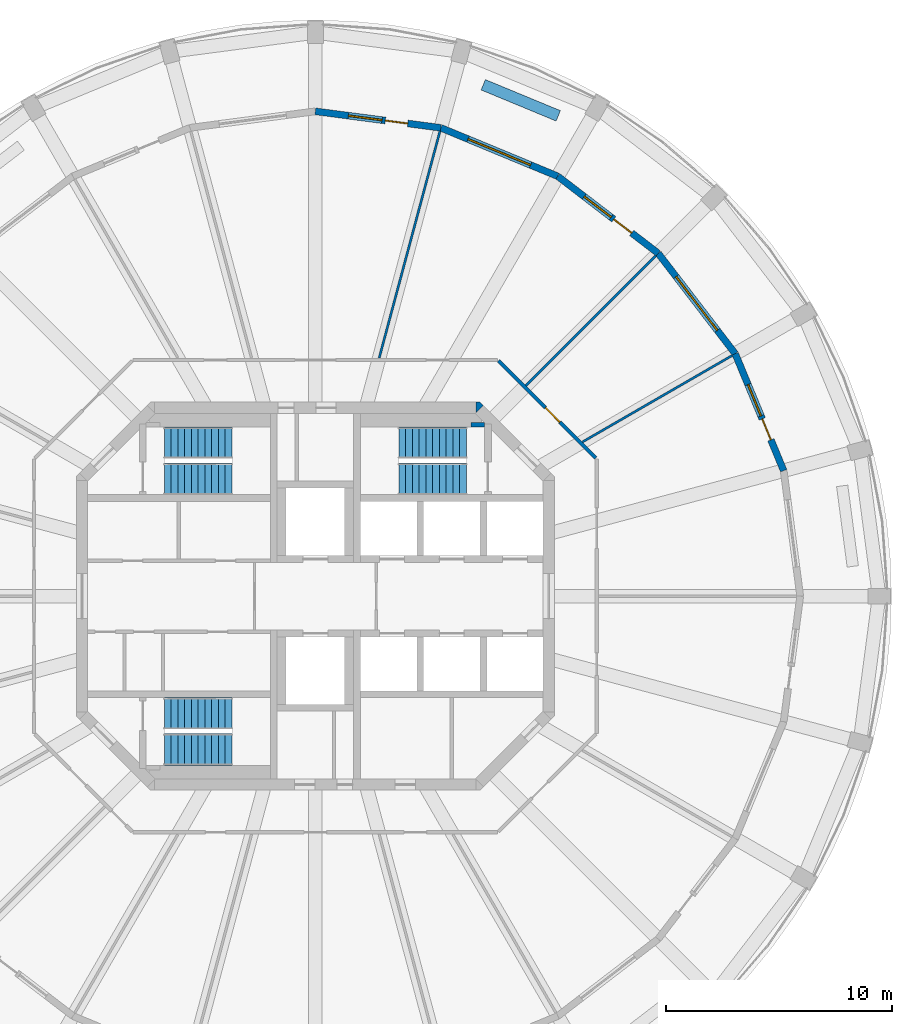
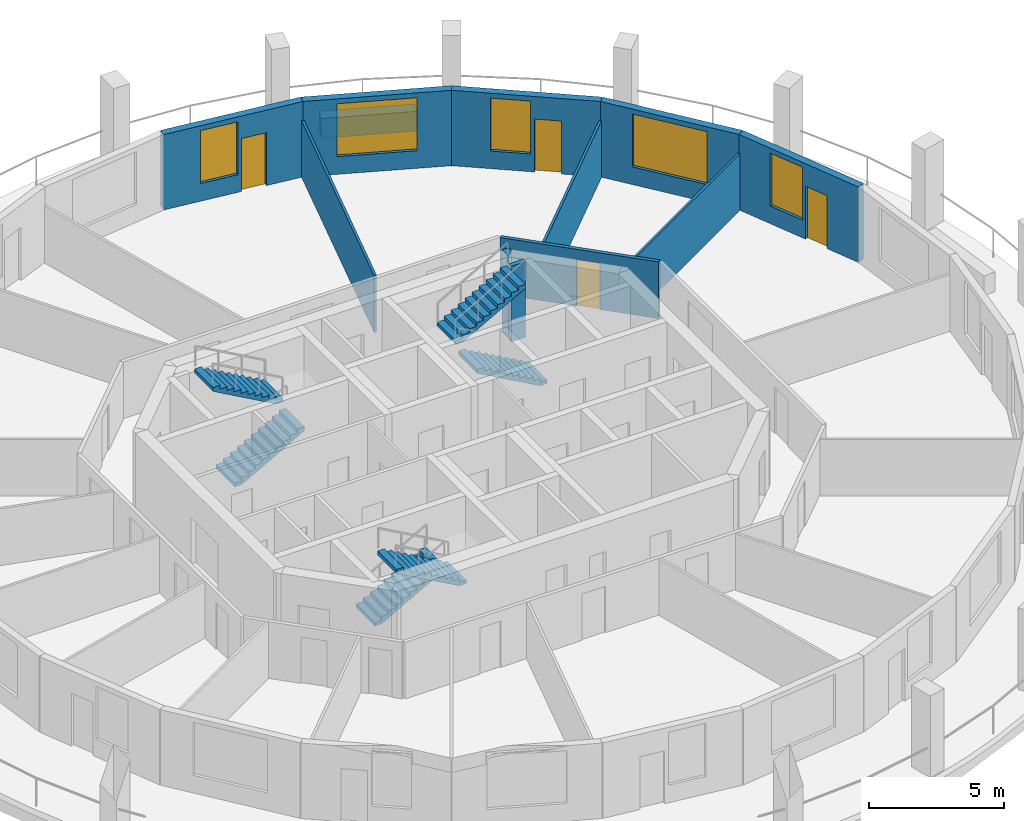
# One storey, part 6 of 8: 12 walls, 6 stair flights, 5 windows, 4 doors, 9 openings, 3 elements without a shape of their own.
"""IFC4 building model written with IfcOpenShell, lengths in metres."""

from ifc_helpers import new_model, si_unit, direction, frame, frame_2d, origin, place, context, subcontext, project, spatial, polyline, rectangle, outline, extrude, material, layer, layer_set, type_object, element, fill, aggregate, save


model = new_model("IFC4")

# Units and contexts
model_context = context("Model", 3, precision=1e-05, world=origin(), true_north=direction((0.0, 1.0)))
body_context = subcontext(model_context, "Body", "Model", "MODEL_VIEW")
ifc_project = project(units=[si_unit("LENGTHUNIT", "METRE"), si_unit("AREAUNIT", "SQUARE_METRE"), si_unit("VOLUMEUNIT", "CUBIC_METRE"), si_unit("PLANEANGLEUNIT", "RADIAN"), si_unit("MASSUNIT", "GRAM", prefix="KILO")], contexts=[model_context])

# Site, building, storey
site_placement = place(None, origin())
site = spatial("IfcSite", under=ifc_project, at=site_placement, CompositionType="ELEMENT")
building_placement = place(site_placement, origin())
building = spatial("IfcBuilding", under=site, at=building_placement, Name="Torre Triforio", CompositionType="ELEMENT")
storey_placement = place(building_placement, frame((0.0, 0.0, 283.39990234375)))
storey = spatial("IfcBuildingStorey", under=building, at=storey_placement, Name="L65", CompositionType="ELEMENT", Elevation=283.39990234375)

# Wall
ifc_material_1 = material(Name="Concrete C40", Category="concrete")
ifc_layer_1 = layer(ifc_material_1, 0.5)
ifc_layer_set_1 = layer_set([ifc_layer_1], Name="Concrete C40")
wall_type_1 = type_object("IfcWallType", Name="Core wall 500 mm C40 EI 120", PredefinedType="SHEAR", material=ifc_layer_set_1)
wall_1_placement = place(storey_placement, frame((0.0, 0.0, -0.27978515625)))
element("IfcWall", 1, at=wall_1_placement, inside=storey, type_object=wall_type_1, Name="Core wall", PredefinedType="SHEAR", context=body_context, shape_type="SweptSolid", body=[
    extrude(outline(polyline([(7.30712890625, 8.60009765625), (7.45361328125, 8.45361328125), (7.1298828125, 8.1298828125), (7.1298828125, 8.60009765625), (7.30712890625, 8.60009765625)])), origin(), (0.0, 0.0, 1.0), 3.699951171875),
])

# Wall, opening, door
ifc_material_2 = material(Name="Plasterboard on metal studs")
ifc_layer_2 = layer(ifc_material_2, 0.14990234375)
ifc_layer_set_2 = layer_set([ifc_layer_2], Name="Plasterboard on metal studs")
wall_type_2 = type_object("IfcWallType", Name="Corridor and tenancy wall 150 mm EI 60", PredefinedType="PARTITIONING", material=ifc_layer_set_2)
wall_2_placement = place(storey_placement, frame((8.120849609375, 10.43798828125, 0.0), z_axis=(0.0, 0.0, 1.0), x_axis=(0.707106781187, -0.707106781187, 0.0)))
wall_2 = element("IfcWall", 2, at=wall_2_placement, inside=storey, type_object=wall_type_2, Name="Partition 7", PredefinedType="PARTITIONING", context=body_context, shape_type="SweptSolid", body=[
    extrude(rectangle(XDim=6.10546875, YDim=0.14990234375, at=frame_2d((3.052734375, 0.0))), origin(), (0.0, 0.0, 1.0), 2.570068359375),
])
opening_1_placement = place(wall_2_placement, frame((2.947509765625, 0.0, 0.0)))
opening_1 = element("IfcOpeningElement", 3, at=opening_1_placement, cuts=wall_2, Name="Opening X1-04", PredefinedType="OPENING", context=body_context, shape_type="SweptSolid", body=[
    extrude(rectangle(XDim=0.89990234375, YDim=2.10009765625, at=frame_2d((0.449951171875, 1.050048828125))), frame((0.0, 0.0849609375, 0.0), z_axis=(0.0, -1.0, 0.0), x_axis=(1.0, 0.0, 0.0)), (0.0, 0.0, 1.0), 0.169921875),
])
ifc_material_3 = material(Name="Timber", Category="wood")
door_type_1 = type_object("IfcDoorType", Name="Door 900 x 2100 single leaf EI 30", OperationType="NOTDEFINED", PredefinedType="DOOR", material=ifc_material_3)
door_1_placement = place(opening_1_placement, origin())
door_1 = element("IfcDoor", 4, at=door_1_placement, inside=storey, type_object=door_type_1, Name="Door X1-04", OperationType="SINGLE_SWING_LEFT", OverallHeight=2.10009765625, OverallWidth=0.89990234375, PredefinedType="DOOR", context=body_context, shape_type="SweptSolid", body=[
    extrude(rectangle(XDim=0.89990234375, YDim=2.10009765625, at=frame_2d((0.449951171875, 1.050048828125))), frame((0.0, 0.02490234375, 0.0), z_axis=(0.0, -1.0, 0.0), x_axis=(1.0, 0.0, 0.0)), (0.0, 0.0, 1.0), 0.050048828125),
])
fill(opening_1, door_1)

# Walls
ifc_layer_3 = layer(ifc_material_2, 0.10009765625)
ifc_layer_set_3 = layer_set([ifc_layer_3], Name="Plasterboard on metal studs")
wall_type_3 = type_object("IfcWallType", Name="Partition 100 mm board on metal studs", PredefinedType="PARTITIONING", material=ifc_layer_set_3)
wall_3_placement = place(storey_placement, frame((11.845947265625, 6.839111328125, 0.0), z_axis=(0.0, 0.0, 1.0), x_axis=(0.866007734672, 0.500030602552, 0.0)))
element("IfcWall", 5, at=wall_3_placement, inside=storey, type_object=wall_type_3, Name="Partition 10", PredefinedType="PARTITIONING", context=body_context, shape_type="SweptSolid", body=[
    extrude(rectangle(XDim=7.658203125, YDim=0.10009765625, at=frame_2d((3.8291015625, 0.0))), origin(), (0.0, 0.0, 1.0), 2.570068359375),
])
wall_4_placement = place(storey_placement, frame((9.33251953125, 9.33251953125, 0.0), z_axis=(0.0, 0.0, 1.0), x_axis=(0.707106781187, 0.707106781187, 0.0)))
element("IfcWall", 6, at=wall_4_placement, inside=storey, type_object=wall_type_3, Name="Partition 11", PredefinedType="PARTITIONING", context=body_context, shape_type="SweptSolid", body=[
    extrude(rectangle(XDim=8.138671875, YDim=0.10009765625, at=frame_2d((4.0693359375, 0.0))), origin(), (0.0, 0.0, 1.0), 2.570068359375),
])
wall_5_placement = place(storey_placement, frame((2.830810546875, 10.564208984375, 0.0), z_axis=(0.0, 0.0, 1.0), x_axis=(0.258796321138, 0.965931914871, 0.0)))
element("IfcWall", 7, at=wall_5_placement, inside=storey, type_object=wall_type_3, Name="Partition 12", PredefinedType="PARTITIONING", context=body_context, shape_type="SweptSolid", body=[
    extrude(rectangle(XDim=10.399658203125, YDim=0.10009765625, at=frame_2d((5.19970703125, 0.0))), origin(), (0.0, 0.0, 1.0), 2.570068359375),
])
ifc_material_4 = material(Name="Limestone cladding", Category="masonry")
ifc_layer_4 = layer(ifc_material_4, 0.10009765625)
ifc_layer_5 = layer(ifc_material_1, 0.39990234375)
ifc_layer_set_4 = layer_set([ifc_layer_4, ifc_layer_5], Name="Limestone cladding / Concrete C40")
wall_type_4 = type_object("IfcWallType", Name="Planter wall 500", PredefinedType="PARAPET", material=ifc_layer_set_4)
wall_6_placement = place(storey_placement, frame((10.770751953125, 21.299560546875, 0.0), z_axis=(0.0, 0.0, 1.0), x_axis=(-0.923875488976, 0.382693194178, 0.0)))
element("IfcWall", 8, at=wall_6_placement, inside=storey, type_object=wall_type_4, Name="Planter L65 bay 05", PredefinedType="PARAPET", context=body_context, shape_type="SweptSolid", body=[
    extrude(rectangle(XDim=3.599853515625, YDim=0.5, at=frame_2d((1.7998046875, 0.0))), origin(), (0.0, 0.0, 1.0), 0.900146484375),
])
ifc_layer_6 = layer(ifc_material_1, 0.199951171875)
ifc_layer_set_5 = layer_set([ifc_layer_6], Name="Concrete C40")
wall_type_5 = type_object("IfcWallType", Name="Stair wall 200 mm C40 EI 120", PredefinedType="SHEAR", material=ifc_layer_set_5)
wall_7_placement = place(storey_placement, frame((6.89990234375, 7.60009765625, 0.0), z_axis=(0.0, 0.0, 1.0), x_axis=(1.0, 0.0, 0.0)))
element("IfcWall", 9, at=wall_7_placement, inside=storey, type_object=wall_type_5, Name="Stair wall", PredefinedType="SHEAR", context=body_context, shape_type="SweptSolid", body=[
    extrude(rectangle(XDim=0.60009765625, YDim=0.199951171875, at=frame_2d((0.300048828125, 0.0))), origin(), (0.0, 0.0, 1.0), 3.420166015625),
])

# Wall, openings, door, window
ifc_layer_7 = layer(ifc_material_4, 0.10009765625)
ifc_layer_8 = layer(ifc_material_1, 0.199951171875)
ifc_layer_set_6 = layer_set([ifc_layer_7, ifc_layer_8], Name="Limestone cladding / Concrete C40")
wall_type_6 = type_object("IfcWallType", Name="Stone-faced composite wall 300", PredefinedType="STANDARD", material=ifc_layer_set_6)
wall_8_placement = place(storey_placement, frame((20.767333984375, 5.564697265625, 0.0), z_axis=(0.0, 0.0, 1.0), x_axis=(-0.382702670405, 0.92387156362, 0.0)))
wall_8 = element("IfcWall", 10, at=wall_8_placement, inside=storey, type_object=wall_type_6, Name="External wall L65 bay 02", PredefinedType="STANDARD", context=body_context, shape_type="SweptSolid", body=[
    extrude(rectangle(XDim=5.612548828125, YDim=0.300048828125, at=frame_2d((2.80615234375, 0.0))), origin(), (0.0, 0.0, 1.0), 3.420166015625),
])
opening_2_placement = place(wall_8_placement, frame((1.481201171875, 0.0, 0.0)))
opening_2 = element("IfcOpeningElement", 11, at=opening_2_placement, cuts=wall_8, Name="Opening X1-D02", PredefinedType="OPENING", context=body_context, shape_type="SweptSolid", body=[
    extrude(rectangle(XDim=1.0, YDim=2.39990234375, at=frame_2d((0.5, 1.199951171875))), frame((0.0, 0.159912109375, 0.0), z_axis=(0.0, -1.0, 0.0), x_axis=(1.0, 0.0, 0.0)), (0.0, 0.0, 1.0), 0.320068359375),
])
opening_3_placement = place(wall_8_placement, frame((2.63134765625, 0.0, 0.800048828125)))
opening_3 = element("IfcOpeningElement", 12, at=opening_3_placement, cuts=wall_8, Name="Opening X1-W02A", PredefinedType="OPENING", context=body_context, shape_type="SweptSolid", body=[
    extrude(rectangle(XDim=1.5, YDim=2.39990234375, at=frame_2d((0.75, 1.199951171875))), frame((0.0, 0.159912109375, 0.0), z_axis=(0.0, -1.0, 0.0), x_axis=(1.0, 0.0, 0.0)), (0.0, 0.0, 1.0), 0.320068359375),
])
ifc_material_5 = material(Name="Aluminium frame with clear double glazing", Category="aluminium")
door_type_2 = type_object("IfcDoorType", Name="Loggia door 1000 x 2400", OperationType="NOTDEFINED", PredefinedType="DOOR", material=ifc_material_5)
door_2_placement = place(opening_2_placement, origin())
door_2 = element("IfcDoor", 13, at=door_2_placement, inside=storey, type_object=door_type_2, Name="Loggia door L65 bay 02", OperationType="SINGLE_SWING_LEFT", OverallHeight=2.39990234375, OverallWidth=1.0, PredefinedType="DOOR", context=body_context, shape_type="SweptSolid", body=[
    extrude(rectangle(XDim=1.0, YDim=2.39990234375, at=frame_2d((0.5, 1.199951171875))), frame((0.0, 0.02490234375, 0.0), z_axis=(0.0, -1.0, 0.0), x_axis=(1.0, 0.0, 0.0)), (0.0, 0.0, 1.0), 0.050048828125),
])
fill(opening_2, door_2)
window_type_1 = type_object("IfcWindowType", Name="Side window 1500 x 2400", PartitioningType="SINGLE_PANEL", PredefinedType="WINDOW", material=ifc_material_5)
window_1_placement = place(opening_3_placement, origin())
window_1 = element("IfcWindow", 14, at=window_1_placement, inside=storey, type_object=window_type_1, Name="Side window EWN14 L65 bay 02", OverallHeight=2.39990234375, OverallWidth=1.5, PartitioningType="SINGLE_PANEL", PredefinedType="WINDOW", context=body_context, shape_type="SweptSolid", body=[
    extrude(rectangle(XDim=1.5, YDim=2.39990234375, at=frame_2d((0.75, 1.199951171875))), frame((0.0, 0.030029296875, 0.0), z_axis=(0.0, -1.0, 0.0), x_axis=(1.0, 0.0, 0.0)), (0.0, 0.0, 1.0), 0.06005859375),
])
fill(opening_3, window_1)

# Wall, opening, window
wall_9_placement = place(storey_placement, frame((18.619384765625, 10.75, 0.0), z_axis=(0.0, 0.0, 1.0), x_axis=(-0.608726467567, 0.793380165925, 0.0)))
wall_9 = element("IfcWall", 15, at=wall_9_placement, inside=storey, type_object=wall_type_6, Name="External wall L65 bay 03", PredefinedType="STANDARD", context=body_context, shape_type="SweptSolid", body=[
    extrude(rectangle(XDim=5.612548828125, YDim=0.300048828125, at=frame_2d((2.80615234375, 0.0))), origin(), (0.0, 0.0, 1.0), 3.420166015625),
])
opening_4_placement = place(wall_9_placement, frame((1.306396484375, 0.0, 0.800048828125)))
opening_4 = element("IfcOpeningElement", 16, at=opening_4_placement, cuts=wall_9, Name="Opening X1-W03", PredefinedType="OPENING", context=body_context, shape_type="SweptSolid", body=[
    extrude(rectangle(XDim=3.0, YDim=2.39990234375, at=frame_2d((1.5, 1.199951171875))), frame((0.0, 0.159912109375, 0.0), z_axis=(0.0, -1.0, 0.0), x_axis=(1.0, 0.0, 0.0)), (0.0, 0.0, 1.0), 0.320068359375),
])
window_type_2 = type_object("IfcWindowType", Name="Punched window 3000 x 2400", PartitioningType="DOUBLE_PANEL_VERTICAL", PredefinedType="WINDOW", material=ifc_material_5)
window_2_placement = place(opening_4_placement, origin())
window_2 = element("IfcWindow", 17, at=window_2_placement, inside=storey, type_object=window_type_2, Name="Window EWN6 L65 bay 03", OverallHeight=2.39990234375, OverallWidth=3.0, PartitioningType="SINGLE_PANEL", PredefinedType="WINDOW", context=body_context, shape_type="SweptSolid", body=[
    extrude(rectangle(XDim=3.0, YDim=2.39990234375, at=frame_2d((1.5, 1.199951171875))), frame((0.0, 0.030029296875, 0.0), z_axis=(0.0, -1.0, 0.0), x_axis=(1.0, 0.0, 0.0)), (0.0, 0.0, 1.0), 0.06005859375),
])
fill(opening_4, window_2)

# Wall, openings, door, window
wall_10_placement = place(storey_placement, frame((15.202880859375, 15.202880859375, 0.0), z_axis=(0.0, 0.0, 1.0), x_axis=(-0.793380165925, 0.608726467567, 0.0)))
wall_10 = element("IfcWall", 18, at=wall_10_placement, inside=storey, type_object=wall_type_6, Name="External wall L65 bay 04", PredefinedType="STANDARD", context=body_context, shape_type="SweptSolid", body=[
    extrude(rectangle(XDim=5.612548828125, YDim=0.300048828125, at=frame_2d((2.80615234375, 0.0))), origin(), (0.0, 0.0, 1.0), 3.420166015625),
])
opening_5_placement = place(wall_10_placement, frame((1.481201171875, 0.0, 0.0)))
opening_5 = element("IfcOpeningElement", 19, at=opening_5_placement, cuts=wall_10, Name="Opening X1-D04", PredefinedType="OPENING", context=body_context, shape_type="SweptSolid", body=[
    extrude(rectangle(XDim=1.0, YDim=2.39990234375, at=frame_2d((0.5, 1.199951171875))), frame((0.0, 0.159912109375, 0.0), z_axis=(0.0, -1.0, 0.0), x_axis=(1.0, 0.0, 0.0)), (0.0, 0.0, 1.0), 0.320068359375),
])
opening_6_placement = place(wall_10_placement, frame((2.63134765625, 0.0, 0.800048828125)))
opening_6 = element("IfcOpeningElement", 20, at=opening_6_placement, cuts=wall_10, Name="Opening X1-W04A", PredefinedType="OPENING", context=body_context, shape_type="SweptSolid", body=[
    extrude(rectangle(XDim=1.5, YDim=2.39990234375, at=frame_2d((0.75, 1.199951171875))), frame((0.0, 0.159912109375, 0.0), z_axis=(0.0, -1.0, 0.0), x_axis=(1.0, 0.0, 0.0)), (0.0, 0.0, 1.0), 0.320068359375),
])
door_3_placement = place(opening_5_placement, origin())
door_3 = element("IfcDoor", 21, at=door_3_placement, inside=storey, type_object=door_type_2, Name="Loggia door L65 bay 04", OperationType="SINGLE_SWING_LEFT", OverallHeight=2.39990234375, OverallWidth=1.0, PredefinedType="DOOR", context=body_context, shape_type="SweptSolid", body=[
    extrude(rectangle(XDim=1.0, YDim=2.39990234375, at=frame_2d((0.5, 1.199951171875))), frame((0.0, 0.02490234375, 0.0), z_axis=(0.0, -1.0, 0.0), x_axis=(1.0, 0.0, 0.0)), (0.0, 0.0, 1.0), 0.050048828125),
])
fill(opening_5, door_3)
window_3_placement = place(opening_6_placement, origin())
window_3 = element("IfcWindow", 22, at=window_3_placement, inside=storey, type_object=window_type_1, Name="Side window EWN14 L65 bay 04", OverallHeight=2.39990234375, OverallWidth=1.5, PartitioningType="SINGLE_PANEL", PredefinedType="WINDOW", context=body_context, shape_type="SweptSolid", body=[
    extrude(rectangle(XDim=1.5, YDim=2.39990234375, at=frame_2d((0.75, 1.199951171875))), frame((0.0, 0.030029296875, 0.0), z_axis=(0.0, -1.0, 0.0), x_axis=(1.0, 0.0, 0.0)), (0.0, 0.0, 1.0), 0.06005859375),
])
fill(opening_6, window_3)

# Wall, opening, window
wall_11_placement = place(storey_placement, frame((10.75, 18.619384765625, 0.0), z_axis=(0.0, 0.0, 1.0), x_axis=(-0.92387156362, 0.382702670405, 0.0)))
wall_11 = element("IfcWall", 23, at=wall_11_placement, inside=storey, type_object=wall_type_6, Name="External wall L65 bay 05", PredefinedType="STANDARD", context=body_context, shape_type="SweptSolid", body=[
    extrude(rectangle(XDim=5.612548828125, YDim=0.300048828125, at=frame_2d((2.80615234375, 0.0))), origin(), (0.0, 0.0, 1.0), 3.420166015625),
])
opening_7_placement = place(wall_11_placement, frame((1.306396484375, 0.0, 0.800048828125)))
opening_7 = element("IfcOpeningElement", 24, at=opening_7_placement, cuts=wall_11, Name="Opening X1-W05", PredefinedType="OPENING", context=body_context, shape_type="SweptSolid", body=[
    extrude(rectangle(XDim=3.0, YDim=2.39990234375, at=frame_2d((1.5, 1.199951171875))), frame((0.0, 0.159912109375, 0.0), z_axis=(0.0, -1.0, 0.0), x_axis=(1.0, 0.0, 0.0)), (0.0, 0.0, 1.0), 0.320068359375),
])
window_4_placement = place(opening_7_placement, origin())
window_4 = element("IfcWindow", 25, at=window_4_placement, inside=storey, type_object=window_type_2, Name="Window EWN6 L65 bay 05", OverallHeight=2.39990234375, OverallWidth=3.0, PartitioningType="SINGLE_PANEL", PredefinedType="WINDOW", context=body_context, shape_type="SweptSolid", body=[
    extrude(rectangle(XDim=3.0, YDim=2.39990234375, at=frame_2d((1.5, 1.199951171875))), frame((0.0, 0.030029296875, 0.0), z_axis=(0.0, -1.0, 0.0), x_axis=(1.0, 0.0, 0.0)), (0.0, 0.0, 1.0), 0.06005859375),
])
fill(opening_7, window_4)

# Wall, openings, door, window
wall_12_placement = place(storey_placement, frame((5.564697265625, 20.767333984375, 0.0), z_axis=(0.0, 0.0, 1.0), x_axis=(-0.991443484334, 0.130536651449, 0.0)))
wall_12 = element("IfcWall", 26, at=wall_12_placement, inside=storey, type_object=wall_type_6, Name="External wall L65 bay 06", PredefinedType="STANDARD", context=body_context, shape_type="SweptSolid", body=[
    extrude(rectangle(XDim=5.61279296875, YDim=0.300048828125, at=frame_2d((2.806396484375, 0.0))), origin(), (0.0, 0.0, 1.0), 3.420166015625),
])
opening_8_placement = place(wall_12_placement, frame((1.481201171875, 0.0, 0.0)))
opening_8 = element("IfcOpeningElement", 27, at=opening_8_placement, cuts=wall_12, Name="Opening X1-D06", PredefinedType="OPENING", context=body_context, shape_type="SweptSolid", body=[
    extrude(rectangle(XDim=1.0, YDim=2.39990234375, at=frame_2d((0.5, 1.199951171875))), frame((0.0, 0.159912109375, 0.0), z_axis=(0.0, -1.0, 0.0), x_axis=(1.0, 0.0, 0.0)), (0.0, 0.0, 1.0), 0.320068359375),
])
opening_9_placement = place(wall_12_placement, frame((2.63134765625, 0.0, 0.800048828125)))
opening_9 = element("IfcOpeningElement", 28, at=opening_9_placement, cuts=wall_12, Name="Opening X1-W06A", PredefinedType="OPENING", context=body_context, shape_type="SweptSolid", body=[
    extrude(rectangle(XDim=1.5, YDim=2.39990234375, at=frame_2d((0.75, 1.199951171875))), frame((0.0, 0.159912109375, 0.0), z_axis=(0.0, -1.0, 0.0), x_axis=(1.0, 0.0, 0.0)), (0.0, 0.0, 1.0), 0.320068359375),
])
door_4_placement = place(opening_8_placement, origin())
door_4 = element("IfcDoor", 29, at=door_4_placement, inside=storey, type_object=door_type_2, Name="Loggia door L65 bay 06", OperationType="SINGLE_SWING_LEFT", OverallHeight=2.39990234375, OverallWidth=1.0, PredefinedType="DOOR", context=body_context, shape_type="SweptSolid", body=[
    extrude(rectangle(XDim=1.0, YDim=2.39990234375, at=frame_2d((0.5, 1.199951171875))), frame((0.0, 0.02490234375, 0.0), z_axis=(0.0, -1.0, 0.0), x_axis=(1.0, 0.0, 0.0)), (0.0, 0.0, 1.0), 0.050048828125),
])
fill(opening_8, door_4)
window_5_placement = place(opening_9_placement, origin())
window_5 = element("IfcWindow", 30, at=window_5_placement, inside=storey, type_object=window_type_1, Name="Side window EWN14 L65 bay 06", OverallHeight=2.39990234375, OverallWidth=1.5, PartitioningType="SINGLE_PANEL", PredefinedType="WINDOW", context=body_context, shape_type="SweptSolid", body=[
    extrude(rectangle(XDim=1.5, YDim=2.39990234375, at=frame_2d((0.75, 1.199951171875))), frame((0.0, 0.030029296875, 0.0), z_axis=(0.0, -1.0, 0.0), x_axis=(1.0, 0.0, 0.0)), (0.0, 0.0, 1.0), 0.06005859375),
])
fill(opening_9, window_5)

# Stair, stair flights
stair_type = type_object("IfcStairType", Name="STAIR HALF-TURN", PredefinedType="HALF_TURN_STAIR", material=ifc_material_1)
stair_1_placement = place(storey_placement, origin())
stair_1 = element("IfcStair", 31, at=stair_1_placement, inside=storey, type_object=stair_type, Name="Exit stair 1", PredefinedType="HALF_TURN_STAIR")
stair_flight_type = type_object("IfcStairFlightType", Name="STAIR FLIGHT 1400", PredefinedType="STRAIGHT", material=ifc_material_1)
stair_flight_1_placement = place(storey_placement, frame((-6.699951171875, 5.199951171875, 0.0), z_axis=(0.0, 0.0, 1.0), x_axis=(1.0, 0.0, 0.0)))
stair_flight_1 = element("IfcStairFlight", 32, at=stair_flight_1_placement, type_object=stair_flight_type, Name="ST1 flight 1", NumberOfRisers=11, NumberOfTreads=10, PredefinedType="STRAIGHT", RiserHeight=0.168181818, TreadLength=0.3, context=body_context, shape_type="SweptSolid", body=[
    extrude(outline(polyline([(0.0, 0.0), (0.0, 0.168212890625), (0.300048828125, 0.168212890625), (0.300048828125, 0.33642578125), (0.60009765625, 0.33642578125), (0.60009765625, 0.504638671875), (0.89990234375, 0.504638671875), (0.89990234375, 0.672607421875), (1.199951171875, 0.672607421875), (1.199951171875, 0.8408203125), (1.5, 0.8408203125), (1.5, 1.009033203125), (1.800048828125, 1.009033203125), (1.800048828125, 1.17724609375), (2.10009765625, 1.17724609375), (2.10009765625, 1.345458984375), (2.39990234375, 1.345458984375), (2.39990234375, 1.513671875), (2.699951171875, 1.513671875), (2.699951171875, 1.681884765625), (3.0, 1.681884765625), (3.0, 1.85009765625), (3.0, 1.510009765625), (0.306640625, 0.0), (0.0, 0.0)])), frame((0.0, 0.699951171875, 0.0), z_axis=(0.0, -1.0, 0.0), x_axis=(1.0, 0.0, 0.0)), (0.0, 0.0, 1.0), 1.39990234375),
])
stair_flight_2_placement = place(storey_placement, frame((-3.699951171875, 6.800048828125, 1.85009765625), z_axis=(0.0, 0.0, 1.0), x_axis=(-1.0, 0.0, 0.0)))
stair_flight_2 = element("IfcStairFlight", 33, at=stair_flight_2_placement, type_object=stair_flight_type, Name="ST1 flight 2", NumberOfRisers=11, NumberOfTreads=10, PredefinedType="STRAIGHT", RiserHeight=0.168181818, TreadLength=0.3, context=body_context, shape_type="SweptSolid", body=[
    extrude(outline(polyline([(0.0, 0.0), (0.0, 0.168212890625), (0.300048828125, 0.168212890625), (0.300048828125, 0.33642578125), (0.60009765625, 0.33642578125), (0.60009765625, 0.504638671875), (0.89990234375, 0.504638671875), (0.89990234375, 0.672607421875), (1.199951171875, 0.672607421875), (1.199951171875, 0.8408203125), (1.5, 0.8408203125), (1.5, 1.009033203125), (1.800048828125, 1.009033203125), (1.800048828125, 1.17724609375), (2.10009765625, 1.17724609375), (2.10009765625, 1.345458984375), (2.39990234375, 1.345458984375), (2.39990234375, 1.513671875), (2.699951171875, 1.513671875), (2.699951171875, 1.681884765625), (3.0, 1.681884765625), (3.0, 1.85009765625), (3.0, 1.510009765625), (0.306640625, 0.0), (0.0, 0.0)])), frame((0.0, 0.699951171875, 0.0), z_axis=(0.0, -1.0, 0.0), x_axis=(1.0, 0.0, 0.0)), (0.0, 0.0, 1.0), 1.39990234375),
])
aggregate(stair_1, [stair_flight_1, stair_flight_2])

stair_2_placement = place(storey_placement, origin())
stair_2 = element("IfcStair", 34, at=stair_2_placement, inside=storey, type_object=stair_type, Name="Exit stair 2", PredefinedType="HALF_TURN_STAIR")
stair_flight_3_placement = place(storey_placement, frame((6.699951171875, 5.199951171875, 0.0), z_axis=(0.0, 0.0, 1.0), x_axis=(-1.0, 0.0, 0.0)))
stair_flight_3 = element("IfcStairFlight", 35, at=stair_flight_3_placement, type_object=stair_flight_type, Name="ST2 flight 1", NumberOfRisers=11, NumberOfTreads=10, PredefinedType="STRAIGHT", RiserHeight=0.168181818, TreadLength=0.3, context=body_context, shape_type="SweptSolid", body=[
    extrude(outline(polyline([(0.0, 0.0), (0.0, 0.168212890625), (0.300048828125, 0.168212890625), (0.300048828125, 0.33642578125), (0.60009765625, 0.33642578125), (0.60009765625, 0.504638671875), (0.89990234375, 0.504638671875), (0.89990234375, 0.672607421875), (1.199951171875, 0.672607421875), (1.199951171875, 0.8408203125), (1.5, 0.8408203125), (1.5, 1.009033203125), (1.800048828125, 1.009033203125), (1.800048828125, 1.17724609375), (2.10009765625, 1.17724609375), (2.10009765625, 1.345458984375), (2.39990234375, 1.345458984375), (2.39990234375, 1.513671875), (2.699951171875, 1.513671875), (2.699951171875, 1.681884765625), (3.0, 1.681884765625), (3.0, 1.85009765625), (3.0, 1.510009765625), (0.306640625, 0.0), (0.0, 0.0)])), frame((0.0, 0.699951171875, 0.0), z_axis=(0.0, -1.0, 0.0), x_axis=(1.0, 0.0, 0.0)), (0.0, 0.0, 1.0), 1.39990234375),
])
stair_flight_4_placement = place(storey_placement, frame((3.699951171875, 6.800048828125, 1.85009765625), z_axis=(0.0, 0.0, 1.0), x_axis=(1.0, 0.0, 0.0)))
stair_flight_4 = element("IfcStairFlight", 36, at=stair_flight_4_placement, type_object=stair_flight_type, Name="ST2 flight 2", NumberOfRisers=11, NumberOfTreads=10, PredefinedType="STRAIGHT", RiserHeight=0.168181818, TreadLength=0.3, context=body_context, shape_type="SweptSolid", body=[
    extrude(outline(polyline([(0.0, 0.0), (0.0, 0.168212890625), (0.300048828125, 0.168212890625), (0.300048828125, 0.33642578125), (0.60009765625, 0.33642578125), (0.60009765625, 0.504638671875), (0.89990234375, 0.504638671875), (0.89990234375, 0.672607421875), (1.199951171875, 0.672607421875), (1.199951171875, 0.8408203125), (1.5, 0.8408203125), (1.5, 1.009033203125), (1.800048828125, 1.009033203125), (1.800048828125, 1.17724609375), (2.10009765625, 1.17724609375), (2.10009765625, 1.345458984375), (2.39990234375, 1.345458984375), (2.39990234375, 1.513671875), (2.699951171875, 1.513671875), (2.699951171875, 1.681884765625), (3.0, 1.681884765625), (3.0, 1.85009765625), (3.0, 1.510009765625), (0.306640625, 0.0), (0.0, 0.0)])), frame((0.0, 0.699951171875, 0.0), z_axis=(0.0, -1.0, 0.0), x_axis=(1.0, 0.0, 0.0)), (0.0, 0.0, 1.0), 1.39990234375),
])
aggregate(stair_2, [stair_flight_3, stair_flight_4])

stair_3_placement = place(storey_placement, origin())
stair_3 = element("IfcStair", 37, at=stair_3_placement, inside=storey, type_object=stair_type, Name="Exit stair 3", PredefinedType="HALF_TURN_STAIR")
stair_flight_5_placement = place(storey_placement, frame((-6.699951171875, -5.199951171875, 0.0), z_axis=(0.0, 0.0, 1.0), x_axis=(1.0, 0.0, 0.0)))
stair_flight_5 = element("IfcStairFlight", 38, at=stair_flight_5_placement, type_object=stair_flight_type, Name="ST3 flight 1", NumberOfRisers=11, NumberOfTreads=10, PredefinedType="STRAIGHT", RiserHeight=0.168181818, TreadLength=0.3, context=body_context, shape_type="SweptSolid", body=[
    extrude(outline(polyline([(0.0, 0.0), (0.0, 0.168212890625), (0.300048828125, 0.168212890625), (0.300048828125, 0.33642578125), (0.60009765625, 0.33642578125), (0.60009765625, 0.504638671875), (0.89990234375, 0.504638671875), (0.89990234375, 0.672607421875), (1.199951171875, 0.672607421875), (1.199951171875, 0.8408203125), (1.5, 0.8408203125), (1.5, 1.009033203125), (1.800048828125, 1.009033203125), (1.800048828125, 1.17724609375), (2.10009765625, 1.17724609375), (2.10009765625, 1.345458984375), (2.39990234375, 1.345458984375), (2.39990234375, 1.513671875), (2.699951171875, 1.513671875), (2.699951171875, 1.681884765625), (3.0, 1.681884765625), (3.0, 1.85009765625), (3.0, 1.510009765625), (0.306640625, 0.0), (0.0, 0.0)])), frame((0.0, 0.699951171875, 0.0), z_axis=(0.0, -1.0, 0.0), x_axis=(1.0, 0.0, 0.0)), (0.0, 0.0, 1.0), 1.39990234375),
])
stair_flight_6_placement = place(storey_placement, frame((-3.699951171875, -6.800048828125, 1.85009765625), z_axis=(0.0, 0.0, 1.0), x_axis=(-1.0, 0.0, 0.0)))
stair_flight_6 = element("IfcStairFlight", 39, at=stair_flight_6_placement, type_object=stair_flight_type, Name="ST3 flight 2", NumberOfRisers=11, NumberOfTreads=10, PredefinedType="STRAIGHT", RiserHeight=0.168181818, TreadLength=0.3, context=body_context, shape_type="SweptSolid", body=[
    extrude(outline(polyline([(0.0, 0.0), (0.0, 0.168212890625), (0.300048828125, 0.168212890625), (0.300048828125, 0.33642578125), (0.60009765625, 0.33642578125), (0.60009765625, 0.504638671875), (0.89990234375, 0.504638671875), (0.89990234375, 0.672607421875), (1.199951171875, 0.672607421875), (1.199951171875, 0.8408203125), (1.5, 0.8408203125), (1.5, 1.009033203125), (1.800048828125, 1.009033203125), (1.800048828125, 1.17724609375), (2.10009765625, 1.17724609375), (2.10009765625, 1.345458984375), (2.39990234375, 1.345458984375), (2.39990234375, 1.513671875), (2.699951171875, 1.513671875), (2.699951171875, 1.681884765625), (3.0, 1.681884765625), (3.0, 1.85009765625), (3.0, 1.510009765625), (0.306640625, 0.0), (0.0, 0.0)])), frame((0.0, 0.699951171875, 0.0), z_axis=(0.0, -1.0, 0.0), x_axis=(1.0, 0.0, 0.0)), (0.0, 0.0, 1.0), 1.39990234375),
])
aggregate(stair_3, [stair_flight_5, stair_flight_6])

save(model, "model.ifc")
